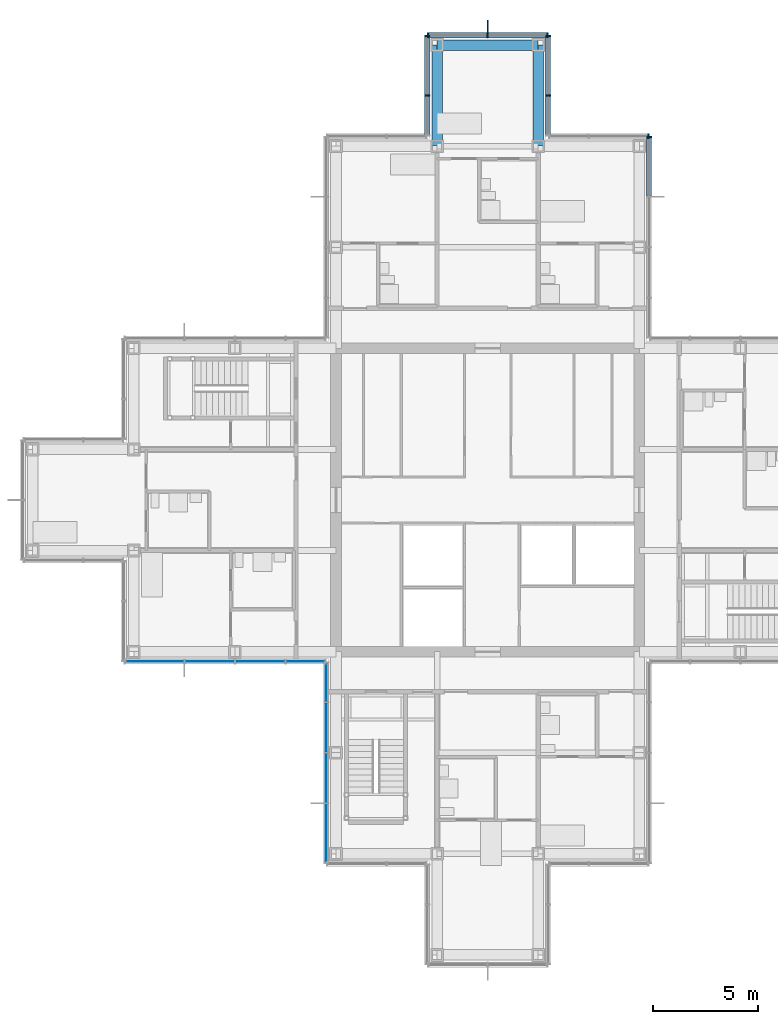
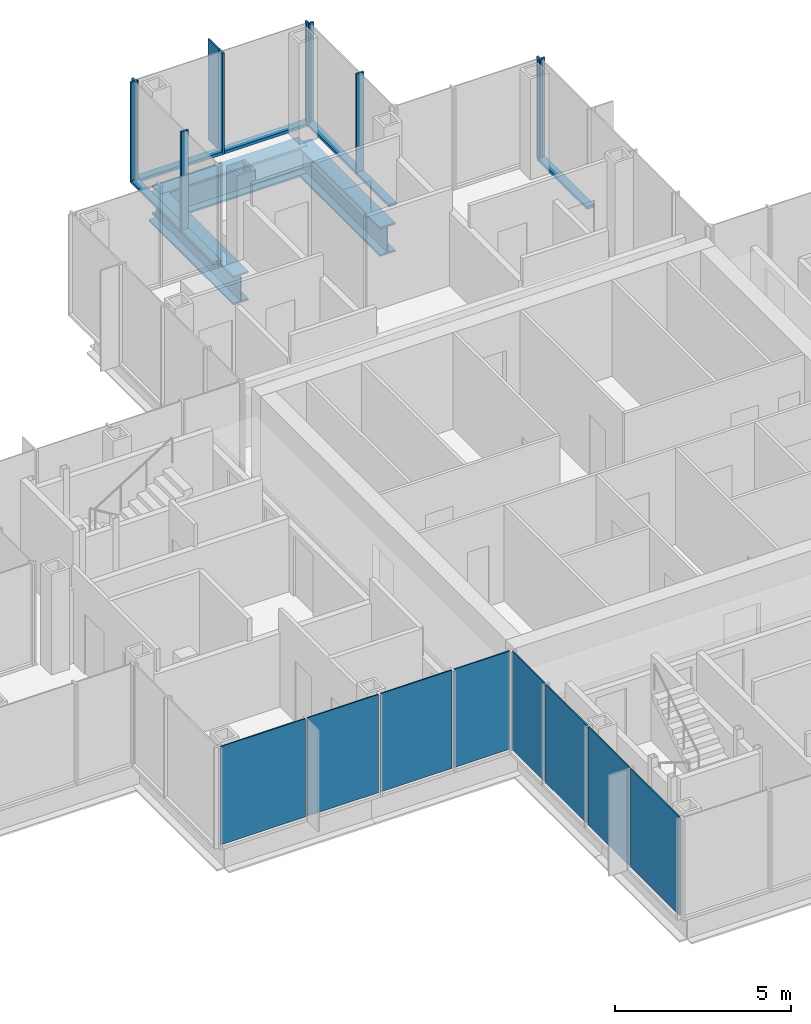
# One storey, part 9 of 17: 17 members, 8 plates, 3 beams, 7 elements without a shape of their own.
"""IFC4 building model written with IfcOpenShell, lengths in metres."""

from ifc_helpers import new_model, si_unit, direction, frame, origin, origin_2d, place, context, subcontext, project, spatial, rectangle, i_section, extrude, material, layer, layer_set, material_profile, profile_set, type_object, element, aggregate, save


model = new_model("IFC4")

# Units and contexts
model_context = context("Model", 3, precision=1e-05, world=origin(), true_north=direction((0.0, 1.0)))
body_context = subcontext(model_context, "Body", "Model", "MODEL_VIEW")
ifc_project = project(units=[si_unit("LENGTHUNIT", "METRE"), si_unit("AREAUNIT", "SQUARE_METRE"), si_unit("VOLUMEUNIT", "CUBIC_METRE"), si_unit("PLANEANGLEUNIT", "RADIAN"), si_unit("MASSUNIT", "GRAM", prefix="KILO")], contexts=[model_context])

# Site, building, storey
site_placement = place(None, origin())
site = spatial("IfcSite", under=ifc_project, at=site_placement, CompositionType="ELEMENT")
building_placement = place(site_placement, origin())
building = spatial("IfcBuilding", under=site, at=building_placement, Name="Kvirike Care Tower", CompositionType="ELEMENT")
storey_placement = place(building_placement, frame((0.0, 0.0, 176.0)))
storey = spatial("IfcBuildingStorey", under=building, at=storey_placement, Name="L48", CompositionType="ELEMENT", Elevation=176.0)

# Curtain wall, member
ifc_material_1 = material(Name="Anodised aluminium stick system", Category="aluminium")
curtain_wall_type = type_object("IfcCurtainWallType", Name="CW-C STICK CURTAIN WALL", PredefinedType="NOTDEFINED", material=ifc_material_1)
curtain_wall_1_placement = place(storey_placement, origin())
curtain_wall_1 = element("IfcCurtainWall", 1, at=curtain_wall_1_placement, inside=storey, type_object=curtain_wall_type, Name="Curtain wall L48 face 11", PredefinedType="NOTDEFINED")
ifc_material_2 = material(Name="Bronze anodised aluminium fin", Category="aluminium")
ifc_material_profile_1 = material_profile(ifc_material_2, rectangle(XDim=0.050048828125, YDim=0.60009765625, at=origin_2d()), Name="BRONZE FIN 600")
ifc_profile_set_1 = profile_set([ifc_material_profile_1], Name="Bronze anodised aluminium fin")
member_type_1 = type_object("IfcMemberType", Name="BRONZE FIN 600", PredefinedType="USERDEFINED", material=ifc_profile_set_1)
member_1_placement = place(storey_placement, frame((21.60009765625, 58.489990234375, 0.0), z_axis=(0.0, 0.0, 1.0), x_axis=(-1.0, 0.0, 0.0)))
member_1 = element("IfcMember", 2, at=member_1_placement, type_object=member_type_1, Name="Bronze fin L48 face 11.2", ObjectType="FIN", PredefinedType="USERDEFINED", context=body_context, shape_type="SweptSolid", body=[
    extrude(rectangle(XDim=0.050048828125, YDim=0.60009765625, at=origin_2d()), origin(), (0.0, 0.0, 1.0), 3.5),
])

curtain_wall_2_placement = place(storey_placement, origin())
curtain_wall_2 = element("IfcCurtainWall", 3, at=curtain_wall_2_placement, inside=storey, type_object=curtain_wall_type, Name="Curtain wall L48 face 8", PredefinedType="NOTDEFINED")
ifc_material_3 = material(Name="Bronze anodised aluminium mullion", Category="aluminium")
ifc_material_profile_2 = material_profile(ifc_material_3, rectangle(XDim=0.06494140625, YDim=0.239990234375, at=origin_2d()), Name="CW-C MULLION 65x240")
ifc_profile_set_2 = profile_set([ifc_material_profile_2], Name="Bronze anodised aluminium mullion")
member_type_2 = type_object("IfcMemberType", Name="CW-C MULLION 65x240", PredefinedType="MULLION", material=ifc_profile_set_2)
member_2_placement = place(storey_placement, frame((29.27001953125, 53.237548828125, 0.0), z_axis=(0.0, 0.0, 1.0), x_axis=(0.0, 1.0, 0.0)))
member_2 = element("IfcMember", 4, at=member_2_placement, type_object=member_type_2, Name="CW-C mullion L48 face 8.5", PredefinedType="MULLION", context=body_context, shape_type="SweptSolid", body=[
    extrude(rectangle(XDim=0.06494140625, YDim=0.239990234375, at=origin_2d()), origin(), (0.0, 0.0, 1.0), 3.5),
])

curtain_wall_3_placement = place(storey_placement, origin())
curtain_wall_3 = element("IfcCurtainWall", 5, at=curtain_wall_3_placement, inside=storey, type_object=curtain_wall_type, Name="Curtain wall L48 face 9", PredefinedType="NOTDEFINED")
member_3_placement = place(storey_placement, frame((29.237548828125, 53.27001953125, 0.0), z_axis=(0.0, 0.0, 1.0), x_axis=(-1.0, 0.0, 0.0)))
member_3 = element("IfcMember", 6, at=member_3_placement, type_object=member_type_2, Name="CW-C mullion L48 face 9.1", PredefinedType="MULLION", context=body_context, shape_type="SweptSolid", body=[
    extrude(rectangle(XDim=0.06494140625, YDim=0.239990234375, at=origin_2d()), origin(), (0.0, 0.0, 1.0), 3.5),
])
aggregate(curtain_wall_3, [member_3])

# Curtain wall, members
curtain_wall_4_placement = place(storey_placement, origin())
curtain_wall_4 = element("IfcCurtainWall", 7, at=curtain_wall_4_placement, inside=storey, type_object=curtain_wall_type, Name="Curtain wall L48 face 10", PredefinedType="NOTDEFINED")
member_4_placement = place(storey_placement, frame((24.469970703125, 55.199951171875, 0.0), z_axis=(0.0, 0.0, 1.0), x_axis=(0.0, 1.0, 0.0)))
member_4 = element("IfcMember", 8, at=member_4_placement, type_object=member_type_2, Name="CW-C mullion L48 face 10.2", PredefinedType="MULLION", context=body_context, shape_type="SweptSolid", body=[
    extrude(rectangle(XDim=0.06494140625, YDim=0.239990234375, at=origin_2d()), origin(), (0.0, 0.0, 1.0), 3.5),
])
member_5_placement = place(storey_placement, frame((24.469970703125, 58.03759765625, 0.0), z_axis=(0.0, 0.0, 1.0), x_axis=(0.0, 1.0, 0.0)))
member_5 = element("IfcMember", 9, at=member_5_placement, type_object=member_type_2, Name="CW-C mullion L48 face 10.3", PredefinedType="MULLION", context=body_context, shape_type="SweptSolid", body=[
    extrude(rectangle(XDim=0.06494140625, YDim=0.239990234375, at=origin_2d()), origin(), (0.0, 0.0, 1.0), 3.5),
])

# Member
member_6_placement = place(storey_placement, frame((24.4375, 58.070068359375, 0.0), z_axis=(0.0, 0.0, 1.0), x_axis=(-1.0, 0.0, 0.0)))
member_6 = element("IfcMember", 10, at=member_6_placement, type_object=member_type_2, Name="CW-C mullion L48 face 11.1", PredefinedType="MULLION", context=body_context, shape_type="SweptSolid", body=[
    extrude(rectangle(XDim=0.06494140625, YDim=0.239990234375, at=origin_2d()), origin(), (0.0, 0.0, 1.0), 3.5),
])

member_7_placement = place(storey_placement, frame((21.60009765625, 58.070068359375, 0.0), z_axis=(0.0, 0.0, 1.0), x_axis=(-1.0, 0.0, 0.0)))
member_7 = element("IfcMember", 11, at=member_7_placement, type_object=member_type_2, Name="CW-C mullion L48 face 11.2", PredefinedType="MULLION", context=body_context, shape_type="SweptSolid", body=[
    extrude(rectangle(XDim=0.06494140625, YDim=0.239990234375, at=origin_2d()), origin(), (0.0, 0.0, 1.0), 3.5),
])

member_8_placement = place(storey_placement, frame((18.762451171875, 58.070068359375, 0.0), z_axis=(0.0, 0.0, 1.0), x_axis=(-1.0, 0.0, 0.0)))
member_8 = element("IfcMember", 12, at=member_8_placement, type_object=member_type_2, Name="CW-C mullion L48 face 11.3", PredefinedType="MULLION", context=body_context, shape_type="SweptSolid", body=[
    extrude(rectangle(XDim=0.06494140625, YDim=0.239990234375, at=origin_2d()), origin(), (0.0, 0.0, 1.0), 3.5),
])

# Curtain wall, members
curtain_wall_5_placement = place(storey_placement, origin())
curtain_wall_5 = element("IfcCurtainWall", 13, at=curtain_wall_5_placement, inside=storey, type_object=curtain_wall_type, Name="Curtain wall L48 face 12", PredefinedType="NOTDEFINED")
member_9_placement = place(storey_placement, frame((18.72998046875, 58.03759765625, 0.0), z_axis=(0.0, 0.0, 1.0), x_axis=(0.0, -1.0, 0.0)))
member_9 = element("IfcMember", 14, at=member_9_placement, type_object=member_type_2, Name="CW-C mullion L48 face 12.1", PredefinedType="MULLION", context=body_context, shape_type="SweptSolid", body=[
    extrude(rectangle(XDim=0.06494140625, YDim=0.239990234375, at=origin_2d()), origin(), (0.0, 0.0, 1.0), 3.5),
])
member_10_placement = place(storey_placement, frame((18.72998046875, 55.199951171875, 0.0), z_axis=(0.0, 0.0, 1.0), x_axis=(0.0, -1.0, 0.0)))
member_10 = element("IfcMember", 15, at=member_10_placement, type_object=member_type_2, Name="CW-C mullion L48 face 12.2", PredefinedType="MULLION", context=body_context, shape_type="SweptSolid", body=[
    extrude(rectangle(XDim=0.06494140625, YDim=0.239990234375, at=origin_2d()), origin(), (0.0, 0.0, 1.0), 3.5),
])

# Member
ifc_material_4 = material(Name="Bronze anodised aluminium transom", Category="aluminium")
ifc_material_profile_3 = material_profile(ifc_material_4, rectangle(XDim=0.239990234375, YDim=0.10009765625, at=origin_2d()), Name="CW-C TRANSOM 240x100")
ifc_profile_set_3 = profile_set([ifc_material_profile_3], Name="Bronze anodised aluminium transom")
member_type_3 = type_object("IfcMemberType", Name="CW-C TRANSOM 240x100", PredefinedType="USERDEFINED", material=ifc_profile_set_3)
member_11_placement = place(storey_placement, frame((29.27001953125, 50.4326171875, 0.050048828125), z_axis=(0.0, 1.0, 0.0), x_axis=(-1.0, 0.0, 0.0)))
member_11 = element("IfcMember", 16, at=member_11_placement, type_object=member_type_3, Name="CW-C sill transom L48 face 8.4", ObjectType="TRANSOM", PredefinedType="USERDEFINED", context=body_context, shape_type="SweptSolid", body=[
    extrude(rectangle(XDim=0.239990234375, YDim=0.10009765625, at=origin_2d()), origin(), (0.0, 0.0, 1.0), 2.7724609375),
])

aggregate(curtain_wall_2, [member_2, member_11])

member_12_placement = place(storey_placement, frame((24.469970703125, 53.3349609375, 0.050048828125), z_axis=(0.0, 1.0, 0.0), x_axis=(-1.0, 0.0, 0.0)))
member_12 = element("IfcMember", 17, at=member_12_placement, type_object=member_type_3, Name="CW-C sill transom L48 face 10.1", ObjectType="TRANSOM", PredefinedType="USERDEFINED", context=body_context, shape_type="SweptSolid", body=[
    extrude(rectangle(XDim=0.239990234375, YDim=0.10009765625, at=origin_2d()), origin(), (0.0, 0.0, 1.0), 1.83251953125),
])

member_13_placement = place(storey_placement, frame((24.469970703125, 55.232421875, 0.050048828125), z_axis=(0.0, 1.0, 0.0), x_axis=(-1.0, 0.0, 0.0)))
member_13 = element("IfcMember", 18, at=member_13_placement, type_object=member_type_3, Name="CW-C sill transom L48 face 10.2", ObjectType="TRANSOM", PredefinedType="USERDEFINED", context=body_context, shape_type="SweptSolid", body=[
    extrude(rectangle(XDim=0.239990234375, YDim=0.10009765625, at=origin_2d()), origin(), (0.0, 0.0, 1.0), 2.7724609375),
])

aggregate(curtain_wall_4, [member_4, member_5, member_12, member_13])

member_14_placement = place(storey_placement, frame((24.405029296875, 58.070068359375, 0.050048828125), z_axis=(-1.0, 0.0, 0.0), x_axis=(0.0, -1.0, 0.0)))
member_14 = element("IfcMember", 19, at=member_14_placement, type_object=member_type_3, Name="CW-C sill transom L48 face 11.1", ObjectType="TRANSOM", PredefinedType="USERDEFINED", context=body_context, shape_type="SweptSolid", body=[
    extrude(rectangle(XDim=0.239990234375, YDim=0.10009765625, at=origin_2d()), origin(), (0.0, 0.0, 1.0), 2.7724609375),
])

member_15_placement = place(storey_placement, frame((21.5673828125, 58.070068359375, 0.050048828125), z_axis=(-1.0, 0.0, 0.0), x_axis=(0.0, -1.0, 0.0)))
member_15 = element("IfcMember", 20, at=member_15_placement, type_object=member_type_3, Name="CW-C sill transom L48 face 11.2", ObjectType="TRANSOM", PredefinedType="USERDEFINED", context=body_context, shape_type="SweptSolid", body=[
    extrude(rectangle(XDim=0.239990234375, YDim=0.10009765625, at=origin_2d()), origin(), (0.0, 0.0, 1.0), 2.7724609375),
])

aggregate(curtain_wall_1, [member_6, member_7, member_1, member_8, member_14, member_15])

member_16_placement = place(storey_placement, frame((18.72998046875, 58.0048828125, 0.050048828125), z_axis=(0.0, -1.0, 0.0), x_axis=(1.0, 0.0, 0.0)))
member_16 = element("IfcMember", 21, at=member_16_placement, type_object=member_type_3, Name="CW-C sill transom L48 face 12.1", ObjectType="TRANSOM", PredefinedType="USERDEFINED", context=body_context, shape_type="SweptSolid", body=[
    extrude(rectangle(XDim=0.239990234375, YDim=0.10009765625, at=origin_2d()), origin(), (0.0, 0.0, 1.0), 2.7724609375),
])

member_17_placement = place(storey_placement, frame((18.72998046875, 55.16748046875, 0.050048828125), z_axis=(0.0, -1.0, 0.0), x_axis=(1.0, 0.0, 0.0)))
member_17 = element("IfcMember", 22, at=member_17_placement, type_object=member_type_3, Name="CW-C sill transom L48 face 12.2", ObjectType="TRANSOM", PredefinedType="USERDEFINED", context=body_context, shape_type="SweptSolid", body=[
    extrude(rectangle(XDim=0.239990234375, YDim=0.10009765625, at=origin_2d()), origin(), (0.0, 0.0, 1.0), 1.83251953125),
])

aggregate(curtain_wall_5, [member_9, member_10, member_16, member_17])

# Beams
ifc_material_5 = material(Name="Steel S355", Category="steel")
ifc_material_profile_4 = material_profile(ifc_material_5, i_section(OverallWidth=0.5, OverallDepth=1.0, WebThickness=0.030029296875, FlangeThickness=0.06005859375, at=origin_2d()), Name="PG 1000x500x30x60")
ifc_profile_set_4 = profile_set([ifc_material_profile_4], Name="Steel S355")
beam_type = type_object("IfcBeamType", Name="SPANDREL PG 1000x500x30x60", PredefinedType="SPANDREL", material=ifc_profile_set_4)
for number, where, z_axis, x_axis, name in (
    (23, (19.199951171875, 57.60009765625, -0.669921875), (1.0, 0.0, 0.0), (0.0, 1.0, 0.0), "Spandrel N7-N8 L48"),
    (24, (19.199951171875, 52.800048828125, -0.669921875), (0.0, 1.0, 0.0), (-1.0, 0.0, 0.0), "Spandrel M7-N7 L48"),
    (25, (24.0, 52.800048828125, -0.669921875), (0.0, 1.0, 0.0), (-1.0, 0.0, 0.0), "Spandrel M8-N8 L48"),
):
    element("IfcBeam", number, at=place(storey_placement, frame(where, z_axis=z_axis, x_axis=x_axis)), inside=storey, type_object=beam_type, Name=name, PredefinedType="SPANDREL", context=body_context, shape_type="SweptSolid", body=[
        extrude(i_section(OverallWidth=0.5, OverallDepth=1.0, WebThickness=0.030029296875, FlangeThickness=0.06005859375, at=origin_2d()), origin(), (0.0, 0.0, 1.0), 4.800048828125),
    ])

# Curtain wall, plates
curtain_wall_6_placement = place(storey_placement, origin())
curtain_wall_6 = element("IfcCurtainWall", 26, at=curtain_wall_6_placement, inside=storey, type_object=curtain_wall_type, Name="Curtain wall L48 face 21", PredefinedType="NOTDEFINED")
ifc_material_6 = material(Name="Tinted double glazed unit", Category="glass")
ifc_layer = layer(ifc_material_6, 0.0400390625)
ifc_layer_set = layer_set([ifc_layer], Name="TINTED VISION PANEL 40")
plate_type = type_object("IfcPlateType", Name="TINTED VISION PANEL 40", PredefinedType="CURTAIN_PANEL", material=ifc_layer_set)
plate_1_placement = place(storey_placement, frame((5.78125, 28.330078125, 0.10009765625), z_axis=(0.0, 0.0, 1.0), x_axis=(1.0, 0.0, 0.0)))
plate_1 = element("IfcPlate", 27, at=plate_1_placement, type_object=plate_type, Name="CW-C panel L48 face 21.1", PredefinedType="CURTAIN_PANEL", context=body_context, shape_type="SweptSolid", body=[
    extrude(rectangle(XDim=2.7724609375, YDim=0.0400390625, at=origin_2d()), origin(), (0.0, 0.0, 1.0), 3.39990234375),
])
plate_2_placement = place(storey_placement, frame((8.39990234375, 28.330078125, 0.10009765625), z_axis=(0.0, 0.0, 1.0), x_axis=(1.0, 0.0, 0.0)))
plate_2 = element("IfcPlate", 28, at=plate_2_placement, type_object=plate_type, Name="CW-C panel L48 face 21.2", PredefinedType="CURTAIN_PANEL", context=body_context, shape_type="SweptSolid", body=[
    extrude(rectangle(XDim=2.3349609375, YDim=0.0400390625, at=origin_2d()), origin(), (0.0, 0.0, 1.0), 3.39990234375),
])
plate_3_placement = place(storey_placement, frame((10.800048828125, 28.330078125, 0.10009765625), z_axis=(0.0, 0.0, 1.0), x_axis=(1.0, 0.0, 0.0)))
plate_3 = element("IfcPlate", 29, at=plate_3_placement, type_object=plate_type, Name="CW-C panel L48 face 21.3", PredefinedType="CURTAIN_PANEL", context=body_context, shape_type="SweptSolid", body=[
    extrude(rectangle(XDim=2.3349609375, YDim=0.0400390625, at=origin_2d()), origin(), (0.0, 0.0, 1.0), 3.39990234375),
])
plate_4_placement = place(storey_placement, frame((12.94873046875, 28.330078125, 0.10009765625), z_axis=(0.0, 0.0, 1.0), x_axis=(1.0, 0.0, 0.0)))
plate_4 = element("IfcPlate", 30, at=plate_4_placement, type_object=plate_type, Name="CW-C panel L48 face 21.4", PredefinedType="CURTAIN_PANEL", context=body_context, shape_type="SweptSolid", body=[
    extrude(rectangle(XDim=1.83251953125, YDim=0.0400390625, at=origin_2d()), origin(), (0.0, 0.0, 1.0), 3.39990234375),
])
aggregate(curtain_wall_6, [plate_1, plate_2, plate_3, plate_4])

curtain_wall_7_placement = place(storey_placement, origin())
curtain_wall_7 = element("IfcCurtainWall", 31, at=curtain_wall_7_placement, inside=storey, type_object=curtain_wall_type, Name="Curtain wall L48 face 22", PredefinedType="NOTDEFINED")
plate_5_placement = place(storey_placement, frame((13.929931640625, 27.3486328125, 0.10009765625), z_axis=(0.0, 0.0, 1.0), x_axis=(0.0, -1.0, 0.0)))
plate_5 = element("IfcPlate", 32, at=plate_5_placement, type_object=plate_type, Name="CW-C panel L48 face 22.1", PredefinedType="CURTAIN_PANEL", context=body_context, shape_type="SweptSolid", body=[
    extrude(rectangle(XDim=1.83251953125, YDim=0.0400390625, at=origin_2d()), origin(), (0.0, 0.0, 1.0), 3.39990234375),
])
plate_6_placement = place(storey_placement, frame((13.929931640625, 25.199951171875, 0.10009765625), z_axis=(0.0, 0.0, 1.0), x_axis=(0.0, -1.0, 0.0)))
plate_6 = element("IfcPlate", 33, at=plate_6_placement, type_object=plate_type, Name="CW-C panel L48 face 22.2", PredefinedType="CURTAIN_PANEL", context=body_context, shape_type="SweptSolid", body=[
    extrude(rectangle(XDim=2.3349609375, YDim=0.0400390625, at=origin_2d()), origin(), (0.0, 0.0, 1.0), 3.39990234375),
])
plate_7_placement = place(storey_placement, frame((13.929931640625, 22.800048828125, 0.10009765625), z_axis=(0.0, 0.0, 1.0), x_axis=(0.0, -1.0, 0.0)))
plate_7 = element("IfcPlate", 34, at=plate_7_placement, type_object=plate_type, Name="CW-C panel L48 face 22.3", PredefinedType="CURTAIN_PANEL", context=body_context, shape_type="SweptSolid", body=[
    extrude(rectangle(XDim=2.3349609375, YDim=0.0400390625, at=origin_2d()), origin(), (0.0, 0.0, 1.0), 3.39990234375),
])
plate_8_placement = place(storey_placement, frame((13.929931640625, 20.18115234375, 0.10009765625), z_axis=(0.0, 0.0, 1.0), x_axis=(0.0, -1.0, 0.0)))
plate_8 = element("IfcPlate", 35, at=plate_8_placement, type_object=plate_type, Name="CW-C panel L48 face 22.4", PredefinedType="CURTAIN_PANEL", context=body_context, shape_type="SweptSolid", body=[
    extrude(rectangle(XDim=2.7724609375, YDim=0.0400390625, at=origin_2d()), origin(), (0.0, 0.0, 1.0), 3.39990234375),
])
aggregate(curtain_wall_7, [plate_5, plate_6, plate_7, plate_8])

save(model, "model.ifc")
